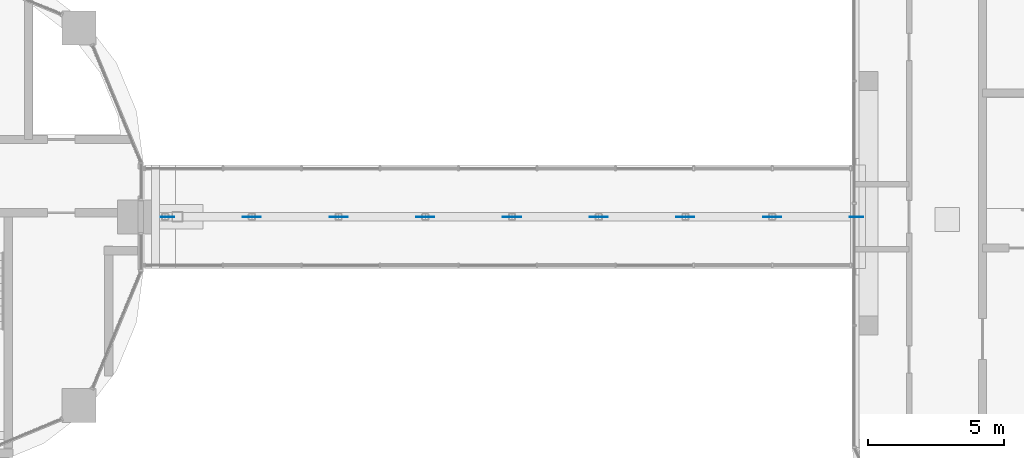
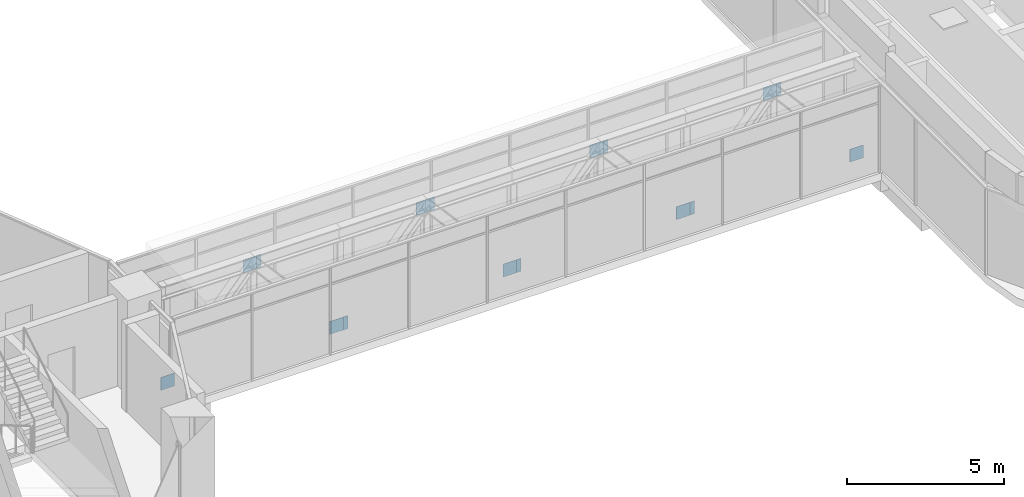
# One storey, part 28 of 33: 16 discrete accessories.
"""IFC4 building model written with IfcOpenShell, lengths in metres."""

import ifcopenshell
import ifcopenshell.guid

model = None  # the IFC model being written
_history = None  # IfcOwnerHistory: only IFC2X3 demands one
_inside = {}  # id of a spatial element -> (the spatial element, [elements in it])
_under = {}  # id of a project, library or spatial element -> (it, [spatial elements below it])
_declared = {}  # id of a project -> (the project, [libraries it declares])
_typed = {}  # id of a type object -> (the type object, [elements of that type])
_made_of = {}  # id of a material, layer set ... -> (it, [elements and type objects made of it])


def new_model(schema):
    """Start an empty IFC model of exactly this schema.

    Asked for "IFC4X3", IfcOpenShell would pick the latest addendum, in which some entities
    have other attributes; the version numbers below select the first issue.
    IFC2X3 requires an IfcOwnerHistory on every rooted entity: one is made here for all.
    """
    global model, _history
    if schema == "IFC4X3":
        model = ifcopenshell.file(schema_version=(4, 3, 0, 0))
    else:
        model = ifcopenshell.file(schema=schema)
    _inside.clear()
    _under.clear()
    _declared.clear()
    _typed.clear()
    _made_of.clear()
    _history = None
    if model.schema == "IFC2X3":
        org = make("IfcOrganization", Name="unknown")
        user = make(
            "IfcPersonAndOrganization",
            ThePerson=make("IfcPerson", FamilyName="unknown"),
            TheOrganization=org,
        )
        app = make(
            "IfcApplication",
            ApplicationDeveloper=org,
            Version="unknown",
            ApplicationFullName="unknown",
            ApplicationIdentifier="unknown",
        )
        _history = make(
            "IfcOwnerHistory",
            OwningUser=user,
            OwningApplication=app,
            ChangeAction="ADDED",
            CreationDate=0,
        )
    return model


def make(cls, **values):
    """One entity of the class cls with the attributes given. An attribute that is None is left unset."""
    return model.create_entity(
        cls, **{name: value for name, value in values.items() if value is not None}
    )


def rooted(cls, **values):
    """An entity with a GlobalId (a new one), such as an element, a storey or a relation."""
    return make(cls, GlobalId=ifcopenshell.guid.new(), OwnerHistory=_history, **values)


def si_unit(unit_type, name, prefix=None):
    """IfcSIUnit, for example si_unit("LENGTHUNIT", "METRE", prefix="MILLI")."""
    return make("IfcSIUnit", UnitType=unit_type, Prefix=prefix, Name=name)


def assignment(units):
    """IfcUnitAssignment: the units of a project."""
    return None if units is None else make("IfcUnitAssignment", Units=units)


def point(xyz):
    """IfcCartesianPoint."""
    return None if xyz is None else make("IfcCartesianPoint", Coordinates=xyz)


def direction(xyz):
    """IfcDirection."""
    return None if xyz is None else make("IfcDirection", DirectionRatios=xyz)


def frame(location, z_axis=None, x_axis=None):
    """IfcAxis2Placement3D, a coordinate frame: its origin and axes. An axis left out is left unset."""
    return make(
        "IfcAxis2Placement3D",
        Location=point(location),
        Axis=direction(z_axis),
        RefDirection=direction(x_axis),
    )


def frame_2d(location, x_axis=None):
    """IfcAxis2Placement2D, a coordinate frame in the plane: its origin and x axis."""
    return make(
        "IfcAxis2Placement2D", Location=point(location), RefDirection=direction(x_axis)
    )


def origin():
    """The frame at (0, 0, 0) with its axes left unset."""
    return frame((0.0, 0.0, 0.0))


def origin_2d():
    """The frame at (0, 0) in the plane with its x axis left unset."""
    return frame_2d((0.0, 0.0))


def place(relative_to, where):
    """IfcLocalPlacement: puts the frame where relative to a parent placement (None: the world)."""
    return make(
        "IfcLocalPlacement", PlacementRelTo=relative_to, RelativePlacement=where
    )


def context(
    kind, dimensions, precision=None, world=None, true_north=None, identifier=None
):
    """IfcGeometricRepresentationContext, for example the 3D "Model" context."""
    return make(
        "IfcGeometricRepresentationContext",
        ContextIdentifier=identifier,
        ContextType=kind,
        CoordinateSpaceDimension=dimensions,
        Precision=precision,
        WorldCoordinateSystem=world,
        TrueNorth=true_north,
    )


def subcontext(parent, identifier, kind, view, scale=None):
    """IfcGeometricRepresentationSubContext, for example "Body" below "Model"."""
    return make(
        "IfcGeometricRepresentationSubContext",
        ContextIdentifier=identifier,
        ContextType=kind,
        ParentContext=parent,
        TargetScale=scale,
        TargetView=view,
    )


def project(units=None, contexts=None):
    """IfcProject with its units and contexts."""
    return rooted(
        "IfcProject",
        Name="project",
        RepresentationContexts=contexts,
        UnitsInContext=assignment(units),
    )


def spatial(cls, under=None, at=None, **own):
    """A site, building, storey or space (cls), placed at a placement, below another one or the project."""
    s = rooted(cls, ObjectPlacement=at, **own)
    if under is not None:
        _under.setdefault(under.id(), (under, []))[1].append(s)
    return s


def profile(cls, at=None, kind="AREA", **sizes):
    """A parametric profile (cls). Its sizes go by their IFC names, for example OverallWidth=200.0."""
    return make(cls, ProfileType=kind, Position=at, **sizes)


def rectangle(**sizes):
    """IfcRectangleProfileDef."""
    return profile("IfcRectangleProfileDef", **sizes)


def extrude(swept, where, along, depth):
    """IfcExtrudedAreaSolid: the profile swept, set in the frame where, extruded along a direction by depth."""
    return make(
        "IfcExtrudedAreaSolid",
        SweptArea=swept,
        Position=where,
        ExtrudedDirection=direction(along),
        Depth=depth,
    )


def shape(context_of_items, identifier, shape_type, items):
    """IfcShapeRepresentation: the items that make up one representation, for example the "Body"."""
    return make(
        "IfcShapeRepresentation",
        ContextOfItems=context_of_items,
        RepresentationIdentifier=identifier,
        RepresentationType=shape_type,
        Items=items,
    )


def material(Name=None, Category=None):
    """IfcMaterial."""
    return make("IfcMaterial", Name=Name, Category=Category)


def layer(
    of_material, thickness, ventilated=None, Name=None, Category=None, Priority=None
):
    """IfcMaterialLayer: one layer of a wall or slab, of a material (None: an air gap)."""
    return make(
        "IfcMaterialLayer",
        Material=of_material,
        LayerThickness=thickness,
        IsVentilated=ventilated,
        Name=Name,
        Category=Category,
        Priority=Priority,
    )


def layer_set(layers, Name=None):
    """IfcMaterialLayerSet."""
    return make("IfcMaterialLayerSet", MaterialLayers=layers, LayerSetName=Name)


def made_of(thing, what):
    """Note that an element or type object is made of a material, layer set ...; save() writes the relation."""
    if what is not None:
        _made_of.setdefault(what.id(), (what, []))[1].append(thing)
    return thing


def type_object(cls, material=None, **own):
    """A type object (cls), such as IfcWallType, which elements share."""
    return made_of(rooted(cls, **own), material)


def element(
    cls,
    number,
    at=None,
    inside=None,
    cuts=None,
    type_object=None,
    material=None,
    context=None,
    identifier="Body",
    shape_type=None,
    held_by="IfcProductDefinitionShape",
    body=None,
    shapes=None,
    **own,
):
    """One element of the class cls, such as IfcWall. Its Tag is "e" and its number.

    at: its placement. inside: the storey or other place that contains it. cuts: it is an
    opening in that element (IfcRelVoidsElement). A single representation is given by context,
    identifier, shape_type and body (its items); several are given by shapes. held_by: the class
    of the entity that holds the representations. save() writes the other relations.
    """
    e = rooted(cls, Tag="e%d" % number, ObjectPlacement=at, **own)
    if body is not None:
        shapes = [shape(context, identifier, shape_type, body)]
    if shapes is not None:
        e.Representation = make(held_by, Representations=shapes)
    if inside is not None:
        _inside.setdefault(inside.id(), (inside, []))[1].append(e)
    if cuts is not None:
        rooted(
            "IfcRelVoidsElement", RelatingBuildingElement=cuts, RelatedOpeningElement=e
        )
    if type_object is not None:
        _typed.setdefault(type_object.id(), (type_object, []))[1].append(e)
    return made_of(e, material)


def aggregate(whole, parts):
    """IfcRelAggregates: a whole, such as a stair, and the parts it consists of."""
    return rooted("IfcRelAggregates", RelatingObject=whole, RelatedObjects=parts)


def save(model, path):
    """Write the relations noted so far, then the file.

    IfcRelAggregates (storeys below a building ...), IfcRelContainedInSpatialStructure (elements
    in a storey), IfcRelDefinesByType, IfcRelAssociatesMaterial and IfcRelDeclares: one each for
    every whole, place, type object, material and project.
    """
    for whole, parts in _under.values():
        aggregate(whole, parts)
    for where, things in _inside.values():
        rooted(
            "IfcRelContainedInSpatialStructure",
            RelatedElements=things,
            RelatingStructure=where,
        )
    for kind, things in _typed.values():
        rooted("IfcRelDefinesByType", RelatedObjects=things, RelatingType=kind)
    for what, things in _made_of.values():
        rooted("IfcRelAssociatesMaterial", RelatedObjects=things, RelatingMaterial=what)
    for by, libraries in _declared.values():
        rooted("IfcRelDeclares", RelatingContext=by, RelatedDefinitions=libraries)
    model.write(path)


model = new_model("IFC4")

# Units and contexts
model_context = context("Model", 3, precision=1e-05, world=origin(), true_north=direction((0.0, 1.0)))
body_context = subcontext(model_context, "Body", "Model", "MODEL_VIEW")
ifc_project = project(units=[si_unit("LENGTHUNIT", "METRE"), si_unit("AREAUNIT", "SQUARE_METRE"), si_unit("VOLUMEUNIT", "CUBIC_METRE"), si_unit("PLANEANGLEUNIT", "RADIAN"), si_unit("MASSUNIT", "GRAM", prefix="KILO")], contexts=[model_context])

# Site, building, storey
site_placement = place(None, origin())
site = spatial("IfcSite", under=ifc_project, at=site_placement, CompositionType="ELEMENT")
building_placement = place(site_placement, origin())
building = spatial("IfcBuilding", under=site, at=building_placement, Name="Ogive Portal Towers", CompositionType="ELEMENT")
storey_placement = place(building_placement, frame((0.0, 0.0, 101.89990234375)))
storey = spatial("IfcBuildingStorey", under=building, at=storey_placement, Name="L24", CompositionType="ELEMENT", Elevation=101.89990234375)

# Discrete accessories
ifc_material = material(Name="Steel S355", Category="steel")
ifc_layer = layer(ifc_material, 0.01611328125)
ifc_layer_set = layer_set([ifc_layer], Name="GUSSET PLATE 500x500x16")
discrete_accessory_type = type_object("IfcDiscreteAccessoryType", Name="GUSSET PLATE 500x500x16", PredefinedType="BRACKET", material=ifc_layer_set)
for number, where, z_axis, x_axis, name in (
    (1, (95.70654296875, 30.5, -0.71728515625), (0.0, 0.0, 1.0), (1.0, 0.0, 0.0), "Gusset plate"),
    (2, (98.73388671875, 30.5, 2.79345703125), (0.0, 0.0, 1.0), (1.0, 0.0, 0.0), "Gusset plate"),
    (3, (98.897216796875, 30.5, 2.79345703125), (0.0, 0.0, 1.0), (1.0, 0.0, 0.0), "Gusset plate"),
    (4, (101.924560546875, 30.5, -0.71728515625), (0.0, 0.0, 1.0), (1.0, 0.0, 0.0), "Gusset plate"),
    (5, (102.087890625, 30.5, -0.71728515625), (0.0, 0.0, 1.0), (1.0, 0.0, 0.0), "Gusset plate"),
    (6, (105.115234375, 30.5, 2.79345703125), (0.0, 0.0, 1.0), (1.0, 0.0, 0.0), "Gusset plate"),
    (7, (105.278564453125, 30.5, 2.79345703125), (0.0, 0.0, 1.0), (1.0, 0.0, 0.0), "Gusset plate"),
    (8, (108.305908203125, 30.5, -0.71728515625), (0.0, 0.0, 1.0), (1.0, 0.0, 0.0), "Gusset plate"),
    (9, (108.468994140625, 30.5, -0.71728515625), (0.0, 0.0, 1.0), (1.0, 0.0, 0.0), "Gusset plate"),
    (10, (111.49658203125, 30.5, 2.79345703125), (0.0, 0.0, 1.0), (1.0, 0.0, 0.0), "Gusset plate"),
    (11, (111.65966796875, 30.5, 2.79345703125), (0.0, 0.0, 1.0), (1.0, 0.0, 0.0), "Gusset plate"),
    (12, (114.687255859375, 30.5, -0.71728515625), (0.0, 0.0, 1.0), (1.0, 0.0, 0.0), "Gusset plate"),
    (13, (114.850341796875, 30.5, -0.71728515625), (0.0, 0.0, 1.0), (1.0, 0.0, 0.0), "Gusset plate"),
    (14, (117.877685546875, 30.5, 2.79345703125), (0.0, 0.0, 1.0), (1.0, 0.0, 0.0), "Gusset plate"),
    (15, (118.041015625, 30.5, 2.79345703125), (0.0, 0.0, 1.0), (1.0, 0.0, 0.0), "Gusset plate"),
    (16, (121.068359375, 30.5, -0.71728515625), (0.0, 0.0, 1.0), (1.0, 0.0, 0.0), "Gusset plate"),
):
    element("IfcDiscreteAccessory", number, at=place(storey_placement, frame(where, z_axis=z_axis, x_axis=x_axis)), inside=storey, type_object=discrete_accessory_type, Name=name, PredefinedType="BRACKET", context=body_context, shape_type="SweptSolid", body=[
        extrude(rectangle(XDim=0.5, YDim=0.01611328125, at=origin_2d()), origin(), (0.0, 0.0, 1.0), 0.5),
    ])

save(model, "model.ifc")
